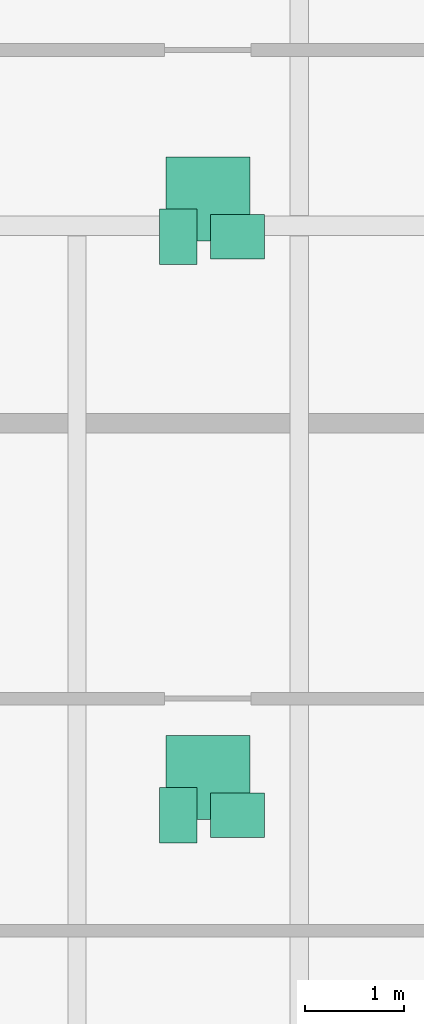
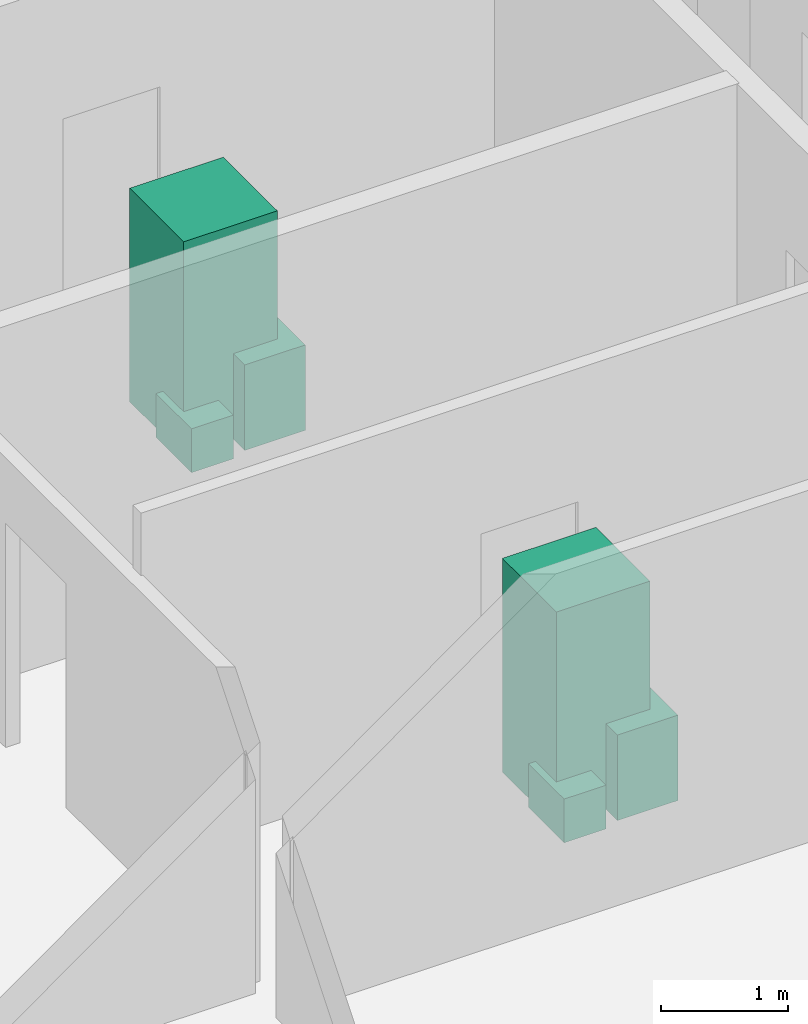
# One storey, part 26 of 26: 6 sanitary terminals.
"""IFC4 building model written with IfcOpenShell, lengths in metres."""

from ifc_helpers import new_model, si_unit, direction, frame, origin, origin_2d, place, context, subcontext, project, spatial, rectangle, extrude, source, transform, mapped, material, type_object, type_shapes, element, save


model = new_model("IFC4")

# Units and contexts
model_context = context("Model", 3, precision=1e-05, world=origin(), true_north=direction((0.0, 1.0)))
body_context = subcontext(model_context, "Body", "Model", "MODEL_VIEW")
ifc_project = project(units=[si_unit("LENGTHUNIT", "METRE"), si_unit("AREAUNIT", "SQUARE_METRE"), si_unit("VOLUMEUNIT", "CUBIC_METRE"), si_unit("PLANEANGLEUNIT", "RADIAN"), si_unit("MASSUNIT", "GRAM", prefix="KILO")], contexts=[model_context])

# Site, building, storey
site_placement = place(None, origin())
site = spatial("IfcSite", under=ifc_project, at=site_placement, CompositionType="ELEMENT")
building_placement = place(site_placement, origin())
building = spatial("IfcBuilding", under=site, at=building_placement, Name="Seokmaru Belvedere", CompositionType="ELEMENT")
storey_placement = place(building_placement, frame((0.0, 0.0, 181.5)))
storey = spatial("IfcBuildingStorey", under=building, at=storey_placement, Name="L48", CompositionType="ELEMENT", Elevation=181.5)

# Sanitary terminals
ifc_material_1 = material(Name="Vitreous China Sanitaryware")
sanitary_terminal_type_1 = type_object("IfcSanitaryTerminalType", Name="Wall-Hung Vitreous China WC Pan", PredefinedType="TOILETPAN", material=ifc_material_1)
shared_shape_1 = source(origin(), body_context, "Body", "SweptSolid", [
    extrude(rectangle(XDim=0.3798828125, YDim=0.56005859375, at=origin_2d()), origin(), (0.0, 0.0, 1.0), 0.419921875),
])
type_shapes(sanitary_terminal_type_1, [shared_shape_1])
for number, where, z_axis, x_axis, name in (
    (1, (-42.22509765625, -10.469970703125, 0.0), (0.0, 0.0, 1.0), (1.0, 0.0, 0.0), "L48 Vitreous China WC 0243"),
    (2, (-42.22509765625, -4.611083984375, 0.0), (0.0, 0.0, 1.0), (1.0, 0.0, 0.0), "L48 Vitreous China WC 0244"),
):
    element("IfcSanitaryTerminal", number, at=place(storey_placement, frame(where, z_axis=z_axis, x_axis=x_axis)), inside=storey, type_object=sanitary_terminal_type_1, Name=name, PredefinedType="TOILETPAN", context=body_context, shape_type="MappedRepresentation", body=[
        mapped(shared_shape_1, transform((0.0, 0.0, 0.0), scale=1.0)),
    ])
sanitary_terminal_type_2 = type_object("IfcSanitaryTerminalType", Name="Countertop Ceramic Washhand Basin", PredefinedType="WASHHANDBASIN", material=ifc_material_1)
shared_shape_2 = source(origin(), body_context, "Body", "SweptSolid", [
    extrude(rectangle(XDim=0.550048828125, YDim=0.449951171875, at=origin_2d()), origin(), (0.0, 0.0, 1.0), 0.820068359375),
])
type_shapes(sanitary_terminal_type_2, [shared_shape_2])
for number, where, z_axis, x_axis, name in (
    (3, (-41.625, -10.469970703125, 0.0), (0.0, 0.0, 1.0), (1.0, 0.0, 0.0), "L48 Ceramic Washhand Basin 0243"),
    (4, (-41.625, -4.611083984375, 0.0), (0.0, 0.0, 1.0), (1.0, 0.0, 0.0), "L48 Ceramic Washhand Basin 0244"),
):
    element("IfcSanitaryTerminal", number, at=place(storey_placement, frame(where, z_axis=z_axis, x_axis=x_axis)), inside=storey, type_object=sanitary_terminal_type_2, Name=name, PredefinedType="WASHHANDBASIN", context=body_context, shape_type="MappedRepresentation", body=[
        mapped(shared_shape_2, transform((0.0, 0.0, 0.0), scale=1.0)),
    ])
ifc_material_2 = material(Name="Stainless Steel 316", Category="steel")
sanitary_terminal_type_3 = type_object("IfcSanitaryTerminalType", Name="Walk-In Thermostatic Rain Shower Enclosure", PredefinedType="SHOWER", material=ifc_material_2)
shared_shape_3 = source(origin(), body_context, "Body", "SweptSolid", [
    extrude(rectangle(XDim=0.85009765625, YDim=0.85009765625, at=origin_2d()), origin(), (0.0, 0.0, 1.0), 2.050048828125),
])
type_shapes(sanitary_terminal_type_3, [shared_shape_3])
for number, where, z_axis, x_axis, name in (
    (5, (-41.925048828125, -10.090087890625, 0.0), (0.0, 0.0, 1.0), (1.0, 0.0, 0.0), "L48 Walk-In Shower 0243"),
    (6, (-41.925048828125, -4.23095703125, 0.0), (0.0, 0.0, 1.0), (1.0, 0.0, 0.0), "L48 Walk-In Shower 0244"),
):
    element("IfcSanitaryTerminal", number, at=place(storey_placement, frame(where, z_axis=z_axis, x_axis=x_axis)), inside=storey, type_object=sanitary_terminal_type_3, Name=name, PredefinedType="SHOWER", context=body_context, shape_type="MappedRepresentation", body=[
        mapped(shared_shape_3, transform((0.0, 0.0, 0.0), scale=1.0)),
    ])

save(model, "model.ifc")
